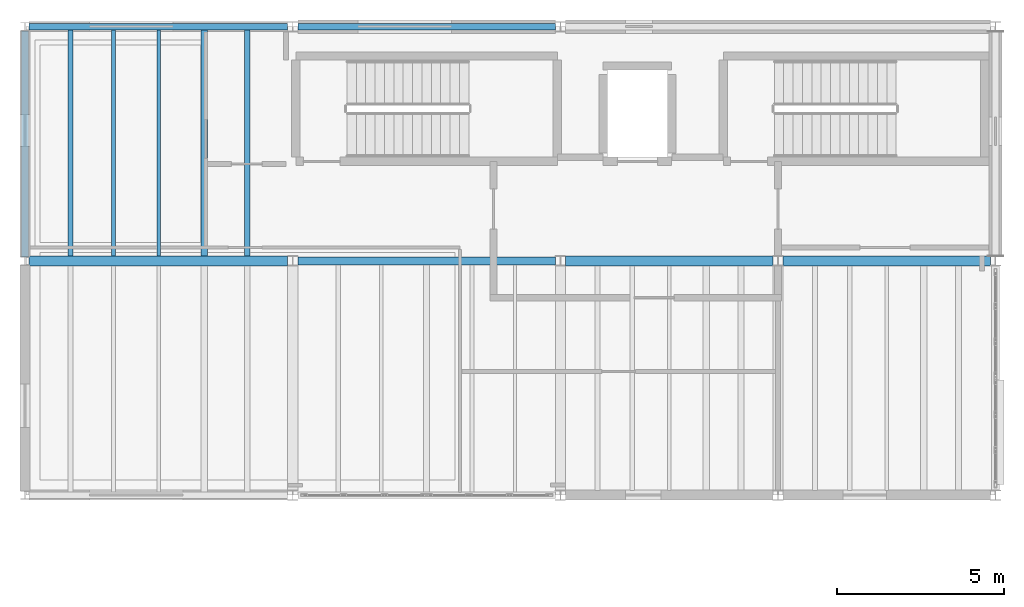
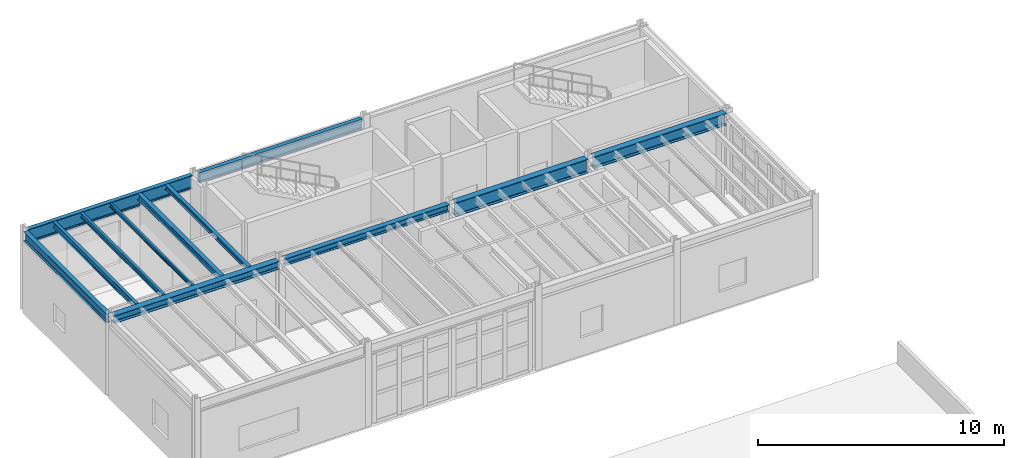
# One storey, part 4 of 11: 12 beams.
"""IFC4 building model written with IfcOpenShell, lengths in metres."""

import ifcopenshell
import ifcopenshell.guid

model = None  # the IFC model being written
_history = None  # IfcOwnerHistory: only IFC2X3 demands one
_inside = {}  # id of a spatial element -> (the spatial element, [elements in it])
_under = {}  # id of a project, library or spatial element -> (it, [spatial elements below it])
_declared = {}  # id of a project -> (the project, [libraries it declares])
_typed = {}  # id of a type object -> (the type object, [elements of that type])
_made_of = {}  # id of a material, layer set ... -> (it, [elements and type objects made of it])


def new_model(schema):
    """Start an empty IFC model of exactly this schema.

    Asked for "IFC4X3", IfcOpenShell would pick the latest addendum, in which some entities
    have other attributes; the version numbers below select the first issue.
    IFC2X3 requires an IfcOwnerHistory on every rooted entity: one is made here for all.
    """
    global model, _history
    if schema == "IFC4X3":
        model = ifcopenshell.file(schema_version=(4, 3, 0, 0))
    else:
        model = ifcopenshell.file(schema=schema)
    _inside.clear()
    _under.clear()
    _declared.clear()
    _typed.clear()
    _made_of.clear()
    _history = None
    if model.schema == "IFC2X3":
        org = make("IfcOrganization", Name="unknown")
        user = make(
            "IfcPersonAndOrganization",
            ThePerson=make("IfcPerson", FamilyName="unknown"),
            TheOrganization=org,
        )
        app = make(
            "IfcApplication",
            ApplicationDeveloper=org,
            Version="unknown",
            ApplicationFullName="unknown",
            ApplicationIdentifier="unknown",
        )
        _history = make(
            "IfcOwnerHistory",
            OwningUser=user,
            OwningApplication=app,
            ChangeAction="ADDED",
            CreationDate=0,
        )
    return model


def make(cls, **values):
    """One entity of the class cls with the attributes given. An attribute that is None is left unset."""
    return model.create_entity(
        cls, **{name: value for name, value in values.items() if value is not None}
    )


def rooted(cls, **values):
    """An entity with a GlobalId (a new one), such as an element, a storey or a relation."""
    return make(cls, GlobalId=ifcopenshell.guid.new(), OwnerHistory=_history, **values)


def si_unit(unit_type, name, prefix=None):
    """IfcSIUnit, for example si_unit("LENGTHUNIT", "METRE", prefix="MILLI")."""
    return make("IfcSIUnit", UnitType=unit_type, Prefix=prefix, Name=name)


def assignment(units):
    """IfcUnitAssignment: the units of a project."""
    return None if units is None else make("IfcUnitAssignment", Units=units)


def point(xyz):
    """IfcCartesianPoint."""
    return None if xyz is None else make("IfcCartesianPoint", Coordinates=xyz)


def direction(xyz):
    """IfcDirection."""
    return None if xyz is None else make("IfcDirection", DirectionRatios=xyz)


def frame(location, z_axis=None, x_axis=None):
    """IfcAxis2Placement3D, a coordinate frame: its origin and axes. An axis left out is left unset."""
    return make(
        "IfcAxis2Placement3D",
        Location=point(location),
        Axis=direction(z_axis),
        RefDirection=direction(x_axis),
    )


def frame_2d(location, x_axis=None):
    """IfcAxis2Placement2D, a coordinate frame in the plane: its origin and x axis."""
    return make(
        "IfcAxis2Placement2D", Location=point(location), RefDirection=direction(x_axis)
    )


def origin():
    """The frame at (0, 0, 0) with its axes left unset."""
    return frame((0.0, 0.0, 0.0))


def origin_2d():
    """The frame at (0, 0) in the plane with its x axis left unset."""
    return frame_2d((0.0, 0.0))


def place(relative_to, where):
    """IfcLocalPlacement: puts the frame where relative to a parent placement (None: the world)."""
    return make(
        "IfcLocalPlacement", PlacementRelTo=relative_to, RelativePlacement=where
    )


def context(
    kind, dimensions, precision=None, world=None, true_north=None, identifier=None
):
    """IfcGeometricRepresentationContext, for example the 3D "Model" context."""
    return make(
        "IfcGeometricRepresentationContext",
        ContextIdentifier=identifier,
        ContextType=kind,
        CoordinateSpaceDimension=dimensions,
        Precision=precision,
        WorldCoordinateSystem=world,
        TrueNorth=true_north,
    )


def subcontext(parent, identifier, kind, view, scale=None):
    """IfcGeometricRepresentationSubContext, for example "Body" below "Model"."""
    return make(
        "IfcGeometricRepresentationSubContext",
        ContextIdentifier=identifier,
        ContextType=kind,
        ParentContext=parent,
        TargetScale=scale,
        TargetView=view,
    )


def project(units=None, contexts=None):
    """IfcProject with its units and contexts."""
    return rooted(
        "IfcProject",
        Name="project",
        RepresentationContexts=contexts,
        UnitsInContext=assignment(units),
    )


def spatial(cls, under=None, at=None, **own):
    """A site, building, storey or space (cls), placed at a placement, below another one or the project."""
    s = rooted(cls, ObjectPlacement=at, **own)
    if under is not None:
        _under.setdefault(under.id(), (under, []))[1].append(s)
    return s


def profile(cls, at=None, kind="AREA", **sizes):
    """A parametric profile (cls). Its sizes go by their IFC names, for example OverallWidth=200.0."""
    return make(cls, ProfileType=kind, Position=at, **sizes)


def i_section(**sizes):
    """IfcIShapeProfileDef."""
    return profile("IfcIShapeProfileDef", **sizes)


def extrude(swept, where, along, depth):
    """IfcExtrudedAreaSolid: the profile swept, set in the frame where, extruded along a direction by depth."""
    return make(
        "IfcExtrudedAreaSolid",
        SweptArea=swept,
        Position=where,
        ExtrudedDirection=direction(along),
        Depth=depth,
    )


def shape(context_of_items, identifier, shape_type, items):
    """IfcShapeRepresentation: the items that make up one representation, for example the "Body"."""
    return make(
        "IfcShapeRepresentation",
        ContextOfItems=context_of_items,
        RepresentationIdentifier=identifier,
        RepresentationType=shape_type,
        Items=items,
    )


def material(Name=None, Category=None):
    """IfcMaterial."""
    return make("IfcMaterial", Name=Name, Category=Category)


def material_profile(
    of_material, cross_section, Name=None, Category=None, Priority=None
):
    """IfcMaterialProfile: a cross section and its material."""
    return make(
        "IfcMaterialProfile",
        Name=Name,
        Material=of_material,
        Profile=cross_section,
        Priority=Priority,
        Category=Category,
    )


def profile_set(profiles, Name=None, composite=None):
    """IfcMaterialProfileSet."""
    return make(
        "IfcMaterialProfileSet",
        Name=Name,
        MaterialProfiles=profiles,
        CompositeProfile=composite,
    )


def made_of(thing, what):
    """Note that an element or type object is made of a material, layer set ...; save() writes the relation."""
    if what is not None:
        _made_of.setdefault(what.id(), (what, []))[1].append(thing)
    return thing


def type_object(cls, material=None, **own):
    """A type object (cls), such as IfcWallType, which elements share."""
    return made_of(rooted(cls, **own), material)


def element(
    cls,
    number,
    at=None,
    inside=None,
    cuts=None,
    type_object=None,
    material=None,
    context=None,
    identifier="Body",
    shape_type=None,
    held_by="IfcProductDefinitionShape",
    body=None,
    shapes=None,
    **own,
):
    """One element of the class cls, such as IfcWall. Its Tag is "e" and its number.

    at: its placement. inside: the storey or other place that contains it. cuts: it is an
    opening in that element (IfcRelVoidsElement). A single representation is given by context,
    identifier, shape_type and body (its items); several are given by shapes. held_by: the class
    of the entity that holds the representations. save() writes the other relations.
    """
    e = rooted(cls, Tag="e%d" % number, ObjectPlacement=at, **own)
    if body is not None:
        shapes = [shape(context, identifier, shape_type, body)]
    if shapes is not None:
        e.Representation = make(held_by, Representations=shapes)
    if inside is not None:
        _inside.setdefault(inside.id(), (inside, []))[1].append(e)
    if cuts is not None:
        rooted(
            "IfcRelVoidsElement", RelatingBuildingElement=cuts, RelatedOpeningElement=e
        )
    if type_object is not None:
        _typed.setdefault(type_object.id(), (type_object, []))[1].append(e)
    return made_of(e, material)


def aggregate(whole, parts):
    """IfcRelAggregates: a whole, such as a stair, and the parts it consists of."""
    return rooted("IfcRelAggregates", RelatingObject=whole, RelatedObjects=parts)


def save(model, path):
    """Write the relations noted so far, then the file.

    IfcRelAggregates (storeys below a building ...), IfcRelContainedInSpatialStructure (elements
    in a storey), IfcRelDefinesByType, IfcRelAssociatesMaterial and IfcRelDeclares: one each for
    every whole, place, type object, material and project.
    """
    for whole, parts in _under.values():
        aggregate(whole, parts)
    for where, things in _inside.values():
        rooted(
            "IfcRelContainedInSpatialStructure",
            RelatedElements=things,
            RelatingStructure=where,
        )
    for kind, things in _typed.values():
        rooted("IfcRelDefinesByType", RelatedObjects=things, RelatingType=kind)
    for what, things in _made_of.values():
        rooted("IfcRelAssociatesMaterial", RelatedObjects=things, RelatingMaterial=what)
    for by, libraries in _declared.values():
        rooted("IfcRelDeclares", RelatingContext=by, RelatedDefinitions=libraries)
    model.write(path)


model = new_model("IFC4")

# Units and contexts
model_context = context("Model", 3, precision=1e-05, world=origin(), true_north=direction((0.0, 1.0)))
body_context = subcontext(model_context, "Body", "Model", "MODEL_VIEW")
ifc_project = project(units=[si_unit("LENGTHUNIT", "METRE"), si_unit("AREAUNIT", "SQUARE_METRE"), si_unit("VOLUMEUNIT", "CUBIC_METRE"), si_unit("PLANEANGLEUNIT", "RADIAN"), si_unit("MASSUNIT", "GRAM", prefix="KILO"), si_unit("THERMODYNAMICTEMPERATUREUNIT", "KELVIN"), si_unit("POWERUNIT", "WATT")], contexts=[model_context])

# Site, building, storey
site_placement = place(None, origin())
site = spatial("IfcSite", under=ifc_project, at=site_placement, CompositionType="ELEMENT")
building_placement = place(site_placement, origin())
building = spatial("IfcBuilding", under=site, at=building_placement, Name="Zhenchuan Central Fire Station", CompositionType="ELEMENT")
storey_placement = place(building_placement, frame((0.0, 0.0, 18.449951171875)))
storey = spatial("IfcBuildingStorey", under=building, at=storey_placement, Name="L05", CompositionType="ELEMENT", Elevation=18.449951171875)

# Beams
ifc_material = material(Name="Steel Q355B", Category="steel")
ifc_material_profile_1 = material_profile(ifc_material, i_section(OverallWidth=0.25, OverallDepth=0.340087890625, WebThickness=0.009033203125, FlangeThickness=0.013916015625, FilletRadius=0.01806640625, at=origin_2d()), Name="HM 340x250")
ifc_profile_set_1 = profile_set([ifc_material_profile_1], Name="Steel Q355B")
beam_type_1 = type_object("IfcBeamType", Name="BM-HM340", PredefinedType="BEAM", material=ifc_profile_set_1)
beam_1_placement = place(storey_placement, frame((140.14990234375, 49.5, 3.830078125), z_axis=(1.0, 0.0, 0.0), x_axis=(0.0, 1.0, 0.0)))
element("IfcBeam", 1, at=beam_1_placement, inside=storey, type_object=beam_type_1, Name="L06 Girder EW 0493", PredefinedType="BEAM", context=body_context, shape_type="SweptSolid", body=[
    extrude(i_section(OverallWidth=0.25, OverallDepth=0.340087890625, WebThickness=0.009033203125, FlangeThickness=0.013916015625, FilletRadius=0.01806640625, at=origin_2d()), origin(), (0.0, 0.0, 1.0), 7.7001953125),
])
ifc_material_profile_2 = material_profile(ifc_material, i_section(OverallWidth=0.300048828125, OverallDepth=0.389892578125, WebThickness=0.010009765625, FlangeThickness=0.01611328125, FilletRadius=0.02001953125, at=origin_2d()), Name="HM 390x300")
ifc_profile_set_2 = profile_set([ifc_material_profile_2], Name="Steel Q355B")
beam_type_2 = type_object("IfcBeamType", Name="BM-HM390-INT", PredefinedType="BEAM", material=ifc_profile_set_2)
beam_2_placement = place(storey_placement, frame((132.125, 49.5, 3.804931640625), z_axis=(1.0, 0.0, 0.0), x_axis=(0.0, 1.0, 0.0)))
element("IfcBeam", 2, at=beam_2_placement, inside=storey, type_object=beam_type_2, Name="L06 Girder EW 0492", PredefinedType="BEAM", context=body_context, shape_type="SweptSolid", body=[
    extrude(i_section(OverallWidth=0.300048828125, OverallDepth=0.389892578125, WebThickness=0.010009765625, FlangeThickness=0.01611328125, FilletRadius=0.02001953125, at=origin_2d()), origin(), (0.0, 0.0, 1.0), 7.72509765625),
])
ifc_material_profile_3 = material_profile(ifc_material, i_section(OverallWidth=0.300048828125, OverallDepth=0.587890625, WebThickness=0.011962890625, FlangeThickness=0.02001953125, FilletRadius=0.02392578125, at=origin_2d()), Name="HM 588x300")
ifc_profile_set_3 = profile_set([ifc_material_profile_3], Name="Steel Q355B")
beam_type_3 = type_object("IfcBeamType", Name="BM-HM588", PredefinedType="BEAM", material=ifc_profile_set_3)
beam_3_placement = place(storey_placement, frame((154.64990234375, 49.5, 3.7060546875), z_axis=(1.0, 0.0, 0.0), x_axis=(0.0, 1.0, 0.0)))
element("IfcBeam", 3, at=beam_3_placement, inside=storey, type_object=beam_type_3, Name="L06 Girder EW 0495", PredefinedType="BEAM", context=body_context, shape_type="SweptSolid", body=[
    extrude(i_section(OverallWidth=0.300048828125, OverallDepth=0.587890625, WebThickness=0.011962890625, FlangeThickness=0.02001953125, FilletRadius=0.02392578125, at=origin_2d()), origin(), (0.0, 0.0, 1.0), 6.2001953125),
])
ifc_material_profile_4 = material_profile(ifc_material, i_section(OverallWidth=0.199951171875, OverallDepth=0.449951171875, WebThickness=0.009033203125, FlangeThickness=0.013916015625, FilletRadius=0.01806640625, at=origin_2d()), Name="HN 450x200")
ifc_profile_set_4 = profile_set([ifc_material_profile_4], Name="Steel Q355B")
beam_type_4 = type_object("IfcBeamType", Name="BM-HN450", PredefinedType="BEAM", material=ifc_profile_set_4)
beam_4_placement = place(storey_placement, frame((132.0, 49.625, 3.775146484375), z_axis=(0.0, 1.0, 0.0), x_axis=(-1.0, 0.0, 0.0)))
element("IfcBeam", 4, at=beam_4_placement, inside=storey, type_object=beam_type_4, Name="L06 Girder NS 0500", PredefinedType="BEAM", context=body_context, shape_type="SweptSolid", body=[
    extrude(i_section(OverallWidth=0.199951171875, OverallDepth=0.449951171875, WebThickness=0.009033203125, FlangeThickness=0.013916015625, FilletRadius=0.01806640625, at=origin_2d()), origin(), (0.0, 0.0, 1.0), 6.75),
])
ifc_material_profile_5 = material_profile(ifc_material, i_section(OverallWidth=0.199951171875, OverallDepth=0.64990234375, WebThickness=0.011962890625, FlangeThickness=0.02001953125, FilletRadius=0.02197265625, at=origin_2d()), Name="HN 650x200")
ifc_profile_set_5 = profile_set([ifc_material_profile_5], Name="Steel Q355B")
beam_type_5 = type_object("IfcBeamType", Name="BM-HN650-EXT", PredefinedType="BEAM", material=ifc_profile_set_5)
beam_5_placement = place(storey_placement, frame((132.125, 56.5, 3.675048828125), z_axis=(1.0, 0.0, 0.0), x_axis=(0.0, 1.0, 0.0)))
element("IfcBeam", 5, at=beam_5_placement, inside=storey, type_object=beam_type_5, Name="L06 Girder EW 0496", PredefinedType="BEAM", context=body_context, shape_type="SweptSolid", body=[
    extrude(i_section(OverallWidth=0.199951171875, OverallDepth=0.64990234375, WebThickness=0.011962890625, FlangeThickness=0.02001953125, FilletRadius=0.02197265625, at=origin_2d()), origin(), (0.0, 0.0, 1.0), 7.72509765625),
])
ifc_material_profile_6 = material_profile(ifc_material, i_section(OverallWidth=0.300048828125, OverallDepth=0.699951171875, WebThickness=0.012939453125, FlangeThickness=0.02392578125, FilletRadius=0.02392578125, at=origin_2d()), Name="HN 700x300")
ifc_profile_set_6 = profile_set([ifc_material_profile_6], Name="Steel Q355B")
beam_type_6 = type_object("IfcBeamType", Name="BM-HN700", PredefinedType="BEAM", material=ifc_profile_set_6)
beam_6_placement = place(storey_placement, frame((148.14990234375, 49.5, 3.650146484375), z_axis=(1.0, 0.0, 0.0), x_axis=(0.0, 1.0, 0.0)))
element("IfcBeam", 6, at=beam_6_placement, inside=storey, type_object=beam_type_6, Name="L06 Girder EW 0494", PredefinedType="BEAM", context=body_context, shape_type="SweptSolid", body=[
    extrude(i_section(OverallWidth=0.300048828125, OverallDepth=0.699951171875, WebThickness=0.012939453125, FlangeThickness=0.02392578125, FilletRadius=0.02392578125, at=origin_2d()), origin(), (0.0, 0.0, 1.0), 6.2001953125),
])
ifc_material_profile_7 = material_profile(ifc_material, i_section(OverallWidth=0.175048828125, OverallDepth=0.243896484375, WebThickness=0.007080078125, FlangeThickness=0.010986328125, FilletRadius=0.012939453125, at=origin_2d()), Name="HM 244x175")
ifc_profile_set_7 = profile_set([ifc_material_profile_7], Name="Steel Q355B")
beam_type_7 = type_object("IfcBeamType", Name="JS-HM244", PredefinedType="JOIST", material=ifc_profile_set_7)
beam_7_placement = place(storey_placement, frame((138.639892578125, 49.64697265625, 3.8779296875), z_axis=(0.0, 1.0, 0.0), x_axis=(-1.0, 0.0, 0.0)))
element("IfcBeam", 7, at=beam_7_placement, inside=storey, type_object=beam_type_7, Name="L06 Secondary Joist 0815", PredefinedType="JOIST", context=body_context, shape_type="SweptSolid", body=[
    extrude(i_section(OverallWidth=0.175048828125, OverallDepth=0.243896484375, WebThickness=0.007080078125, FlangeThickness=0.010986328125, FilletRadius=0.012939453125, at=origin_2d()), origin(), (0.0, 0.0, 1.0), 6.756103515625),
])
ifc_material_profile_8 = material_profile(ifc_material, i_section(OverallWidth=0.199951171875, OverallDepth=0.2939453125, WebThickness=0.008056640625, FlangeThickness=0.011962890625, FilletRadius=0.01611328125, at=origin_2d()), Name="HM 294x200")
ifc_profile_set_8 = profile_set([ifc_material_profile_8], Name="Steel Q355B")
beam_type_8 = type_object("IfcBeamType", Name="JS-HM294", PredefinedType="JOIST", material=ifc_profile_set_8)
beam_8_placement = place(storey_placement, frame((137.360107421875, 49.64697265625, 3.85302734375), z_axis=(0.0, 1.0, 0.0), x_axis=(-1.0, 0.0, 0.0)))
element("IfcBeam", 8, at=beam_8_placement, inside=storey, type_object=beam_type_8, Name="L06 Secondary Joist 0814", PredefinedType="JOIST", context=body_context, shape_type="SweptSolid", body=[
    extrude(i_section(OverallWidth=0.199951171875, OverallDepth=0.2939453125, WebThickness=0.008056640625, FlangeThickness=0.011962890625, FilletRadius=0.01611328125, at=origin_2d()), origin(), (0.0, 0.0, 1.0), 6.756103515625),
])
ifc_material_profile_9 = material_profile(ifc_material, i_section(OverallWidth=0.10009765625, OverallDepth=0.199951171875, WebThickness=0.005615234375, FlangeThickness=0.008056640625, FilletRadius=0.010986328125, at=origin_2d()), Name="HN 200x100")
ifc_profile_set_9 = profile_set([ifc_material_profile_9], Name="Steel Q355B")
beam_type_9 = type_object("IfcBeamType", Name="JS-HN200", PredefinedType="JOIST", material=ifc_profile_set_9)
beam_9_placement = place(storey_placement, frame((136.0, 49.64697265625, 3.900146484375), z_axis=(0.0, 1.0, 0.0), x_axis=(-1.0, 0.0, 0.0)))
element("IfcBeam", 9, at=beam_9_placement, inside=storey, type_object=beam_type_9, Name="L06 Secondary Joist 0813", PredefinedType="JOIST", context=body_context, shape_type="SweptSolid", body=[
    extrude(i_section(OverallWidth=0.10009765625, OverallDepth=0.199951171875, WebThickness=0.005615234375, FlangeThickness=0.008056640625, FilletRadius=0.010986328125, at=origin_2d()), origin(), (0.0, 0.0, 1.0), 6.756103515625),
])
ifc_material_profile_10 = material_profile(ifc_material, i_section(OverallWidth=0.125, OverallDepth=0.25, WebThickness=0.006103515625, FlangeThickness=0.009033203125, FilletRadius=0.011962890625, at=origin_2d()), Name="HN 250x125")
ifc_profile_set_10 = profile_set([ifc_material_profile_10], Name="Steel Q355B")
beam_type_10 = type_object("IfcBeamType", Name="JS-HN250", PredefinedType="JOIST", material=ifc_profile_set_10)
beam_10_placement = place(storey_placement, frame((134.639892578125, 49.64697265625, 3.875), z_axis=(0.0, 1.0, 0.0), x_axis=(-1.0, 0.0, 0.0)))
element("IfcBeam", 10, at=beam_10_placement, inside=storey, type_object=beam_type_10, Name="L06 Secondary Joist 0812", PredefinedType="JOIST", context=body_context, shape_type="SweptSolid", body=[
    extrude(i_section(OverallWidth=0.125, OverallDepth=0.25, WebThickness=0.006103515625, FlangeThickness=0.009033203125, FilletRadius=0.011962890625, at=origin_2d()), origin(), (0.0, 0.0, 1.0), 6.756103515625),
])
ifc_material_profile_11 = material_profile(ifc_material, i_section(OverallWidth=0.14990234375, OverallDepth=0.300048828125, WebThickness=0.006591796875, FlangeThickness=0.009033203125, FilletRadius=0.012939453125, at=origin_2d()), Name="HN 300x150")
ifc_profile_set_11 = profile_set([ifc_material_profile_11], Name="Steel Q355B")
beam_type_11 = type_object("IfcBeamType", Name="JS-HN300", PredefinedType="JOIST", material=ifc_profile_set_11)
beam_11_placement = place(storey_placement, frame((133.360107421875, 49.64697265625, 3.85009765625), z_axis=(0.0, 1.0, 0.0), x_axis=(-1.0, 0.0, 0.0)))
element("IfcBeam", 11, at=beam_11_placement, inside=storey, type_object=beam_type_11, Name="L06 Secondary Joist 0811", PredefinedType="JOIST", context=body_context, shape_type="SweptSolid", body=[
    extrude(i_section(OverallWidth=0.14990234375, OverallDepth=0.300048828125, WebThickness=0.006591796875, FlangeThickness=0.009033203125, FilletRadius=0.012939453125, at=origin_2d()), origin(), (0.0, 0.0, 1.0), 6.756103515625),
])
ifc_material_profile_12 = material_profile(ifc_material, i_section(OverallWidth=0.199951171875, OverallDepth=0.5, WebThickness=0.010009765625, FlangeThickness=0.01611328125, FilletRadius=0.02001953125, at=origin_2d()), Name="HN 500x200")
ifc_profile_set_12 = profile_set([ifc_material_profile_12], Name="Steel Q355B")
beam_type_12 = type_object("IfcBeamType", Name="SP-HN500", PredefinedType="SPANDREL", material=ifc_profile_set_12)
beam_12_placement = place(storey_placement, frame((140.14990234375, 56.5, 3.75), z_axis=(1.0, 0.0, 0.0), x_axis=(0.0, 1.0, 0.0)))
element("IfcBeam", 12, at=beam_12_placement, inside=storey, type_object=beam_type_12, Name="L06 Girder EW 0497", PredefinedType="SPANDREL", context=body_context, shape_type="SweptSolid", body=[
    extrude(i_section(OverallWidth=0.199951171875, OverallDepth=0.5, WebThickness=0.010009765625, FlangeThickness=0.01611328125, FilletRadius=0.02001953125, at=origin_2d()), origin(), (0.0, 0.0, 1.0), 7.7001953125),
])

save(model, "model.ifc")
